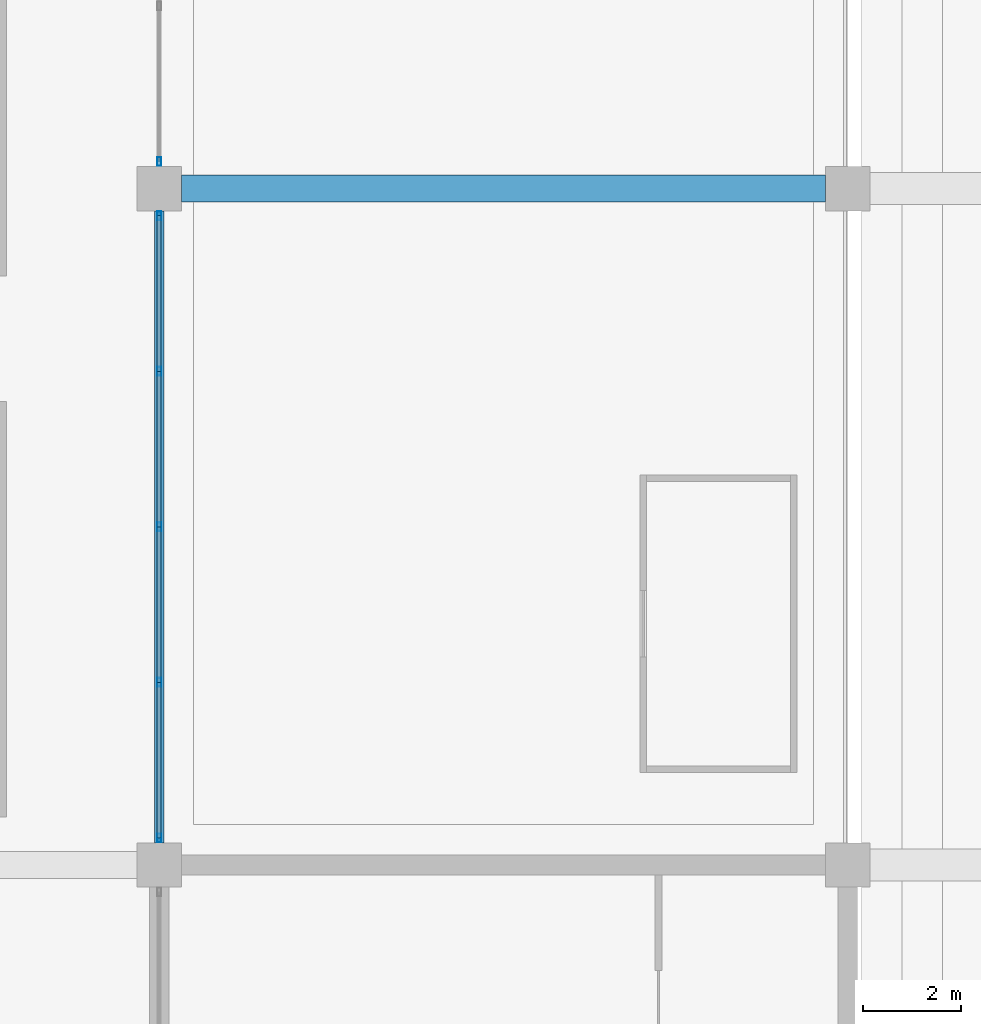
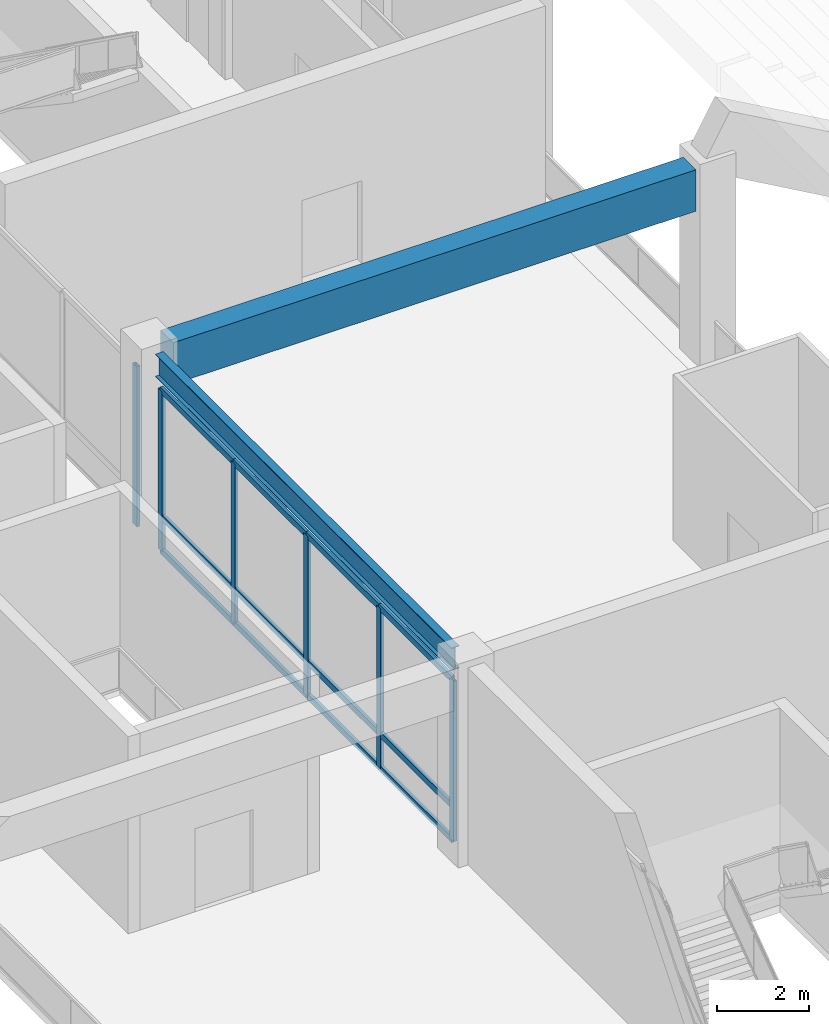
# One storey, part 31 of 90: 18 members, 2 beams, 2 elements without a shape of their own.
"""IFC4 building model written with IfcOpenShell, lengths in metres."""

from ifc_helpers import new_model, si_unit, direction, frame, origin, origin_2d, place, context, subcontext, project, spatial, rectangle, hollow_rectangle, i_section, extrude, material, material_profile, profile_set, type_object, element, aggregate, save


model = new_model("IFC4")

# Units and contexts
model_context = context("Model", 3, precision=1e-05, world=origin(), true_north=direction((0.0, 1.0)))
body_context = subcontext(model_context, "Body", "Model", "MODEL_VIEW")
ifc_project = project(units=[si_unit("LENGTHUNIT", "METRE"), si_unit("AREAUNIT", "SQUARE_METRE"), si_unit("VOLUMEUNIT", "CUBIC_METRE"), si_unit("PLANEANGLEUNIT", "RADIAN"), si_unit("MASSUNIT", "GRAM", prefix="KILO")], contexts=[model_context])

# Site, building, storey
site_placement = place(None, origin())
site = spatial("IfcSite", under=ifc_project, at=site_placement, CompositionType="ELEMENT")
building_placement = place(site_placement, origin())
building = spatial("IfcBuilding", under=site, at=building_placement, Name="Linyun Crest Stadium", CompositionType="ELEMENT")
storey_placement = place(building_placement, frame((0.0, 0.0, 21.0)))
storey = spatial("IfcBuildingStorey", under=building, at=storey_placement, Name="L05", CompositionType="ELEMENT", Elevation=21.0)

# Beam
ifc_material_1 = material(Name="Steel Q355C", Category="steel")
ifc_material_profile_1 = material_profile(ifc_material_1, i_section(OverallWidth=0.199951171875, OverallDepth=0.60009765625, WebThickness=0.010986328125, FlangeThickness=0.01708984375, at=origin_2d()), Name="HN 600x200")
ifc_profile_set_1 = profile_set([ifc_material_profile_1], Name="Steel Q355C")
beam_type_1 = type_object("IfcBeamType", Name="B11", PredefinedType="BEAM", material=ifc_profile_set_1)
beam_1_placement = place(storey_placement, frame((-84.0, 16.324951171875, 4.860107421875), z_axis=(0.0, 1.0, 0.0), x_axis=(-1.0, 0.0, 0.0)))
element("IfcBeam", 1, at=beam_1_placement, inside=storey, type_object=beam_type_1, Name="Frame beam B11 L05 368", PredefinedType="BEAM", context=body_context, shape_type="SweptSolid", body=[
    extrude(i_section(OverallWidth=0.199951171875, OverallDepth=0.60009765625, WebThickness=0.010986328125, FlangeThickness=0.01708984375, at=origin_2d()), origin(), (0.0, 0.0, 1.0), 12.85009765625),
])

# Curtain wall, members
ifc_material_2 = material(Name="Verdigris steel and low-E curtain wall assembly", Category="steel")
curtain_wall_type = type_object("IfcCurtainWallType", Name="MCW01", PredefinedType="NOTDEFINED", material=ifc_material_2)
curtain_wall_1_placement = place(storey_placement, origin())
curtain_wall_1 = element("IfcCurtainWall", 2, at=curtain_wall_1_placement, inside=storey, type_object=curtain_wall_type, Name="CWR-112", PredefinedType="NOTDEFINED")
ifc_material_3 = material(Name="Verdigris painted steel Q355B mullion", Category="steel")
ifc_material_profile_2 = material_profile(ifc_material_3, hollow_rectangle(XDim=0.080078125, YDim=0.179931640625, WallThickness=0.006103515625, at=origin_2d()), Name="RHS 180x80x6")
ifc_profile_set_2 = profile_set([ifc_material_profile_2], Name="Verdigris painted steel Q355B mullion")
member_type_1 = type_object("IfcMemberType", Name="ML02", PredefinedType="MULLION", material=ifc_profile_set_2)
member_1_placement = place(storey_placement, frame((-84.0, 16.425048828125, 0.0), z_axis=(0.0, 0.0, 1.0), x_axis=(-1.0, 0.0, 0.0)))
member_1 = element("IfcMember", 3, at=member_1_placement, type_object=member_type_1, Name="CWR-112 mullion 1", PredefinedType="MULLION", context=body_context, shape_type="SweptSolid", body=[
    extrude(hollow_rectangle(XDim=0.080078125, YDim=0.179931640625, WallThickness=0.006103515625, at=origin_2d()), origin(), (0.0, 0.0, 1.0), 4.25),
])
member_2_placement = place(storey_placement, frame((-84.0, 19.587890625, 0.0), z_axis=(0.0, 0.0, 1.0), x_axis=(-1.0, 0.0, 0.0)))
member_2 = element("IfcMember", 4, at=member_2_placement, type_object=member_type_1, Name="CWR-112 mullion 2", PredefinedType="MULLION", context=body_context, shape_type="SweptSolid", body=[
    extrude(hollow_rectangle(XDim=0.080078125, YDim=0.179931640625, WallThickness=0.006103515625, at=origin_2d()), origin(), (0.0, 0.0, 1.0), 4.25),
])
member_3_placement = place(storey_placement, frame((-84.0, 22.75, 0.0), z_axis=(0.0, 0.0, 1.0), x_axis=(-1.0, 0.0, 0.0)))
member_3 = element("IfcMember", 5, at=member_3_placement, type_object=member_type_1, Name="CWR-112 mullion 3", PredefinedType="MULLION", context=body_context, shape_type="SweptSolid", body=[
    extrude(hollow_rectangle(XDim=0.080078125, YDim=0.179931640625, WallThickness=0.006103515625, at=origin_2d()), origin(), (0.0, 0.0, 1.0), 4.25),
])
member_4_placement = place(storey_placement, frame((-84.0, 25.912109375, 0.0), z_axis=(0.0, 0.0, 1.0), x_axis=(-1.0, 0.0, 0.0)))
member_4 = element("IfcMember", 6, at=member_4_placement, type_object=member_type_1, Name="CWR-112 mullion 4", PredefinedType="MULLION", context=body_context, shape_type="SweptSolid", body=[
    extrude(hollow_rectangle(XDim=0.080078125, YDim=0.179931640625, WallThickness=0.006103515625, at=origin_2d()), origin(), (0.0, 0.0, 1.0), 4.25),
])
member_5_placement = place(storey_placement, frame((-84.0, 29.074951171875, 0.0), z_axis=(0.0, 0.0, 1.0), x_axis=(-1.0, 0.0, 0.0)))
member_5 = element("IfcMember", 7, at=member_5_placement, type_object=member_type_1, Name="CWR-112 mullion 5", PredefinedType="MULLION", context=body_context, shape_type="SweptSolid", body=[
    extrude(hollow_rectangle(XDim=0.080078125, YDim=0.179931640625, WallThickness=0.006103515625, at=origin_2d()), origin(), (0.0, 0.0, 1.0), 4.25),
])

# Curtain wall, member
curtain_wall_2_placement = place(storey_placement, origin())
curtain_wall_2 = element("IfcCurtainWall", 8, at=curtain_wall_2_placement, inside=storey, type_object=curtain_wall_type, Name="CWR-121", PredefinedType="NOTDEFINED")
member_6_placement = place(storey_placement, frame((-84.0, 30.175048828125, 0.0), z_axis=(0.0, 0.0, 1.0), x_axis=(-1.0, 0.0, 0.0)))
member_6 = element("IfcMember", 9, at=member_6_placement, type_object=member_type_1, Name="CWR-121 mullion 1", PredefinedType="MULLION", context=body_context, shape_type="SweptSolid", body=[
    extrude(hollow_rectangle(XDim=0.080078125, YDim=0.179931640625, WallThickness=0.006103515625, at=origin_2d()), origin(), (0.0, 0.0, 1.0), 4.25),
])
aggregate(curtain_wall_2, [member_6])

# Beam
ifc_material_4 = material(Name="Concrete C50", Category="concrete")
ifc_material_profile_3 = material_profile(ifc_material_4, rectangle(XDim=0.550048828125, YDim=1.10009765625, at=origin_2d()), Name="RCB 1100x550")
ifc_profile_set_3 = profile_set([ifc_material_profile_3], Name="Concrete C50")
beam_type_2 = type_object("IfcBeamType", Name="TB01", PredefinedType="USERDEFINED", material=ifc_profile_set_3)
beam_2_placement = place(storey_placement, frame((-83.550048828125, 29.625, 4.610107421875), z_axis=(1.0, 0.0, 0.0), x_axis=(0.0, 1.0, 0.0)))
element("IfcBeam", 10, at=beam_2_placement, inside=storey, type_object=beam_type_2, Name="Frame beam TB01 L05 356", ObjectType="GIRDER", PredefinedType="USERDEFINED", context=body_context, shape_type="SweptSolid", body=[
    extrude(rectangle(XDim=0.550048828125, YDim=1.10009765625, at=origin_2d()), origin(), (0.0, 0.0, 1.0), 13.10009765625),
])

# Member
ifc_material_5 = material(Name="Aluminium thermally broken transom", Category="aluminium")
ifc_material_profile_4 = material_profile(ifc_material_5, hollow_rectangle(XDim=0.080078125, YDim=0.159912109375, WallThickness=0.006103515625, at=origin_2d()), Name="RHS 160x80x6")
ifc_profile_set_4 = profile_set([ifc_material_profile_4], Name="Aluminium thermally broken transom")
member_type_2 = type_object("IfcMemberType", Name="TR01", PredefinedType="USERDEFINED", material=ifc_profile_set_4)
member_7_placement = place(storey_placement, frame((-84.0, 16.425048828125, 0.0), z_axis=(0.0, 1.0, 0.0), x_axis=(-1.0, 0.0, 0.0)))
member_7 = element("IfcMember", 11, at=member_7_placement, type_object=member_type_2, Name="CWR-112 transom 1.1", ObjectType="TRANSOM", PredefinedType="USERDEFINED", context=body_context, shape_type="SweptSolid", body=[
    extrude(hollow_rectangle(XDim=0.080078125, YDim=0.159912109375, WallThickness=0.006103515625, at=origin_2d()), origin(), (0.0, 0.0, 1.0), 3.162841796875),
])

member_8_placement = place(storey_placement, frame((-84.0, 16.425048828125, 0.89990234375), z_axis=(0.0, 1.0, 0.0), x_axis=(-1.0, 0.0, 0.0)))
member_8 = element("IfcMember", 12, at=member_8_placement, type_object=member_type_2, Name="CWR-112 transom 1.2", ObjectType="TRANSOM", PredefinedType="USERDEFINED", context=body_context, shape_type="SweptSolid", body=[
    extrude(hollow_rectangle(XDim=0.080078125, YDim=0.159912109375, WallThickness=0.006103515625, at=origin_2d()), origin(), (0.0, 0.0, 1.0), 3.162841796875),
])

member_9_placement = place(storey_placement, frame((-84.0, 16.425048828125, 4.25), z_axis=(0.0, 1.0, 0.0), x_axis=(-1.0, 0.0, 0.0)))
member_9 = element("IfcMember", 13, at=member_9_placement, type_object=member_type_2, Name="CWR-112 transom 1.3", ObjectType="TRANSOM", PredefinedType="USERDEFINED", context=body_context, shape_type="SweptSolid", body=[
    extrude(hollow_rectangle(XDim=0.080078125, YDim=0.159912109375, WallThickness=0.006103515625, at=origin_2d()), origin(), (0.0, 0.0, 1.0), 3.162841796875),
])

member_10_placement = place(storey_placement, frame((-84.0, 19.587890625, 0.0), z_axis=(0.0, 1.0, 0.0), x_axis=(-1.0, 0.0, 0.0)))
member_10 = element("IfcMember", 14, at=member_10_placement, type_object=member_type_2, Name="CWR-112 transom 2.1", ObjectType="TRANSOM", PredefinedType="USERDEFINED", context=body_context, shape_type="SweptSolid", body=[
    extrude(hollow_rectangle(XDim=0.080078125, YDim=0.159912109375, WallThickness=0.006103515625, at=origin_2d()), origin(), (0.0, 0.0, 1.0), 3.162109375),
])

member_11_placement = place(storey_placement, frame((-84.0, 19.587890625, 0.89990234375), z_axis=(0.0, 1.0, 0.0), x_axis=(-1.0, 0.0, 0.0)))
member_11 = element("IfcMember", 15, at=member_11_placement, type_object=member_type_2, Name="CWR-112 transom 2.2", ObjectType="TRANSOM", PredefinedType="USERDEFINED", context=body_context, shape_type="SweptSolid", body=[
    extrude(hollow_rectangle(XDim=0.080078125, YDim=0.159912109375, WallThickness=0.006103515625, at=origin_2d()), origin(), (0.0, 0.0, 1.0), 3.162109375),
])

member_12_placement = place(storey_placement, frame((-84.0, 19.587890625, 4.25), z_axis=(0.0, 1.0, 0.0), x_axis=(-1.0, 0.0, 0.0)))
member_12 = element("IfcMember", 16, at=member_12_placement, type_object=member_type_2, Name="CWR-112 transom 2.3", ObjectType="TRANSOM", PredefinedType="USERDEFINED", context=body_context, shape_type="SweptSolid", body=[
    extrude(hollow_rectangle(XDim=0.080078125, YDim=0.159912109375, WallThickness=0.006103515625, at=origin_2d()), origin(), (0.0, 0.0, 1.0), 3.162109375),
])

member_13_placement = place(storey_placement, frame((-84.0, 22.75, 0.0), z_axis=(0.0, 1.0, 0.0), x_axis=(-1.0, 0.0, 0.0)))
member_13 = element("IfcMember", 17, at=member_13_placement, type_object=member_type_2, Name="CWR-112 transom 3.1", ObjectType="TRANSOM", PredefinedType="USERDEFINED", context=body_context, shape_type="SweptSolid", body=[
    extrude(hollow_rectangle(XDim=0.080078125, YDim=0.159912109375, WallThickness=0.006103515625, at=origin_2d()), origin(), (0.0, 0.0, 1.0), 3.162109375),
])

member_14_placement = place(storey_placement, frame((-84.0, 22.75, 0.89990234375), z_axis=(0.0, 1.0, 0.0), x_axis=(-1.0, 0.0, 0.0)))
member_14 = element("IfcMember", 18, at=member_14_placement, type_object=member_type_2, Name="CWR-112 transom 3.2", ObjectType="TRANSOM", PredefinedType="USERDEFINED", context=body_context, shape_type="SweptSolid", body=[
    extrude(hollow_rectangle(XDim=0.080078125, YDim=0.159912109375, WallThickness=0.006103515625, at=origin_2d()), origin(), (0.0, 0.0, 1.0), 3.162109375),
])

member_15_placement = place(storey_placement, frame((-84.0, 22.75, 4.25), z_axis=(0.0, 1.0, 0.0), x_axis=(-1.0, 0.0, 0.0)))
member_15 = element("IfcMember", 19, at=member_15_placement, type_object=member_type_2, Name="CWR-112 transom 3.3", ObjectType="TRANSOM", PredefinedType="USERDEFINED", context=body_context, shape_type="SweptSolid", body=[
    extrude(hollow_rectangle(XDim=0.080078125, YDim=0.159912109375, WallThickness=0.006103515625, at=origin_2d()), origin(), (0.0, 0.0, 1.0), 3.162109375),
])

member_16_placement = place(storey_placement, frame((-84.0, 25.912109375, 0.0), z_axis=(0.0, 1.0, 0.0), x_axis=(-1.0, 0.0, 0.0)))
member_16 = element("IfcMember", 20, at=member_16_placement, type_object=member_type_2, Name="CWR-112 transom 4.1", ObjectType="TRANSOM", PredefinedType="USERDEFINED", context=body_context, shape_type="SweptSolid", body=[
    extrude(hollow_rectangle(XDim=0.080078125, YDim=0.159912109375, WallThickness=0.006103515625, at=origin_2d()), origin(), (0.0, 0.0, 1.0), 3.162841796875),
])

member_17_placement = place(storey_placement, frame((-84.0, 25.912109375, 0.89990234375), z_axis=(0.0, 1.0, 0.0), x_axis=(-1.0, 0.0, 0.0)))
member_17 = element("IfcMember", 21, at=member_17_placement, type_object=member_type_2, Name="CWR-112 transom 4.2", ObjectType="TRANSOM", PredefinedType="USERDEFINED", context=body_context, shape_type="SweptSolid", body=[
    extrude(hollow_rectangle(XDim=0.080078125, YDim=0.159912109375, WallThickness=0.006103515625, at=origin_2d()), origin(), (0.0, 0.0, 1.0), 3.162841796875),
])

member_18_placement = place(storey_placement, frame((-84.0, 25.912109375, 4.25), z_axis=(0.0, 1.0, 0.0), x_axis=(-1.0, 0.0, 0.0)))
member_18 = element("IfcMember", 22, at=member_18_placement, type_object=member_type_2, Name="CWR-112 transom 4.3", ObjectType="TRANSOM", PredefinedType="USERDEFINED", context=body_context, shape_type="SweptSolid", body=[
    extrude(hollow_rectangle(XDim=0.080078125, YDim=0.159912109375, WallThickness=0.006103515625, at=origin_2d()), origin(), (0.0, 0.0, 1.0), 3.162841796875),
])

aggregate(curtain_wall_1, [member_1, member_2, member_3, member_4, member_5, member_7, member_8, member_9, member_10, member_11, member_12, member_13, member_14, member_15, member_16, member_17, member_18])

save(model, "model.ifc")
